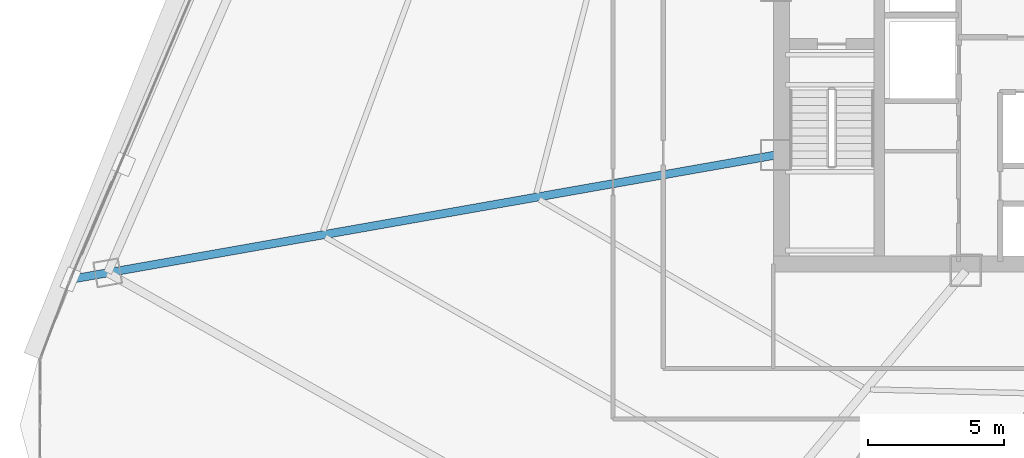
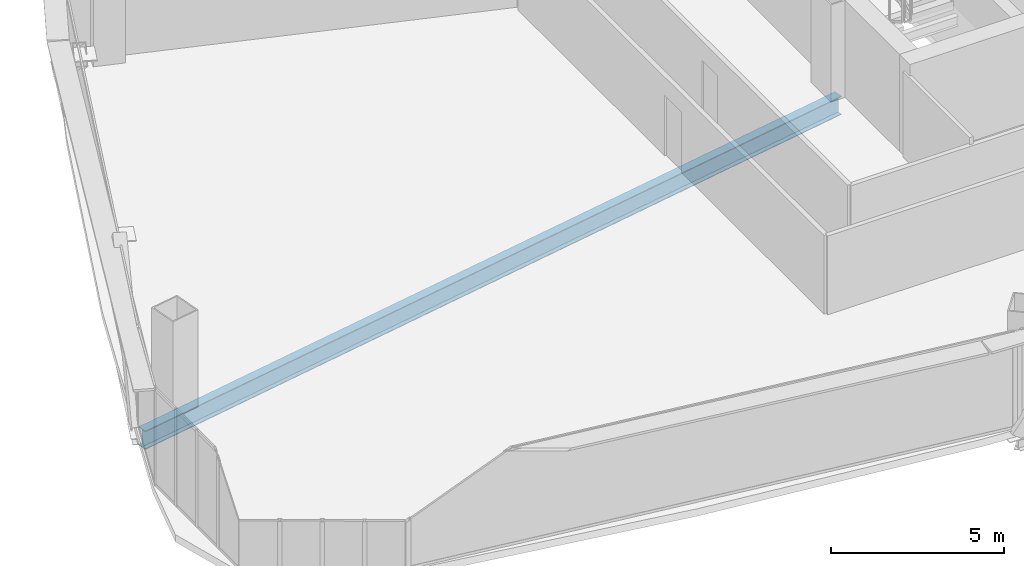
# One storey, part 5 of 40: 1 beam.
"""IFC4 building model written with IfcOpenShell, lengths in metres."""

from ifc_helpers import new_model, si_unit, direction, frame, origin, origin_2d, place, context, subcontext, project, spatial, i_section, extrude, source, transform, mapped, material, material_profile, profile_set, type_object, element, save


model = new_model("IFC4")

# Units and contexts
model_context = context("Model", 3, precision=1e-05, world=origin(), true_north=direction((0.0, 1.0)))
body_context = subcontext(model_context, "Body", "Model", "MODEL_VIEW")
ifc_project = project(units=[si_unit("LENGTHUNIT", "METRE"), si_unit("AREAUNIT", "SQUARE_METRE"), si_unit("VOLUMEUNIT", "CUBIC_METRE"), si_unit("PLANEANGLEUNIT", "RADIAN"), si_unit("MASSUNIT", "GRAM", prefix="KILO"), si_unit("THERMODYNAMICTEMPERATUREUNIT", "KELVIN"), si_unit("POWERUNIT", "WATT")], contexts=[model_context])

# Site, building, storey
site_placement = place(None, origin())
site = spatial("IfcSite", under=ifc_project, at=site_placement, CompositionType="ELEMENT")
building_placement = place(site_placement, origin())
building = spatial("IfcBuilding", under=site, at=building_placement, Name="Yunzhuo Pagoda Commons", CompositionType="ELEMENT")
storey_placement = place(building_placement, frame((0.0, 0.0, 159.27001953125)))
storey = spatial("IfcBuildingStorey", under=building, at=storey_placement, Name="L40", CompositionType="ELEMENT", Elevation=159.27001953125)

# Beam
ifc_material = material(Name="Structural steel Q355B", Category="steel")
ifc_material_profile = material_profile(ifc_material, i_section(OverallWidth=0.300048828125, OverallDepth=0.64990234375, WebThickness=0.012939453125, FlangeThickness=0.02197265625, at=origin_2d()), Name="Structural steel Q355B")
ifc_profile_set = profile_set([ifc_material_profile], Name="Structural steel Q355B")
beam_type = type_object("IfcBeamType", Name="B-RG2 Beam HN 650x300x13x22", PredefinedType="BEAM", material=ifc_profile_set)
shared_shape = source(origin(), body_context, "Body", "SweptSolid", [
    extrude(i_section(OverallWidth=0.300048828125, OverallDepth=0.64990234375, WebThickness=0.012939453125, FlangeThickness=0.02197265625, at=origin_2d()), origin(), (0.0, 0.0, 1.0), 26.2158203125),
])
beam_placement = place(storey_placement, frame((9.782470703125, 26.961181640625, -0.5849609375), z_axis=(0.98480839303, 0.173644547905, 0.0), x_axis=(-0.173644547905, 0.98480839303, 0.0)))
element("IfcBeam", 1, at=beam_placement, inside=storey, type_object=beam_type, Name="L40 radial floor girder F3C4", PredefinedType="BEAM", context=body_context, shape_type="MappedRepresentation", body=[
    mapped(shared_shape, transform((0.0, 0.0, 0.0), scale=1.0)),
])

save(model, "model.ifc")
